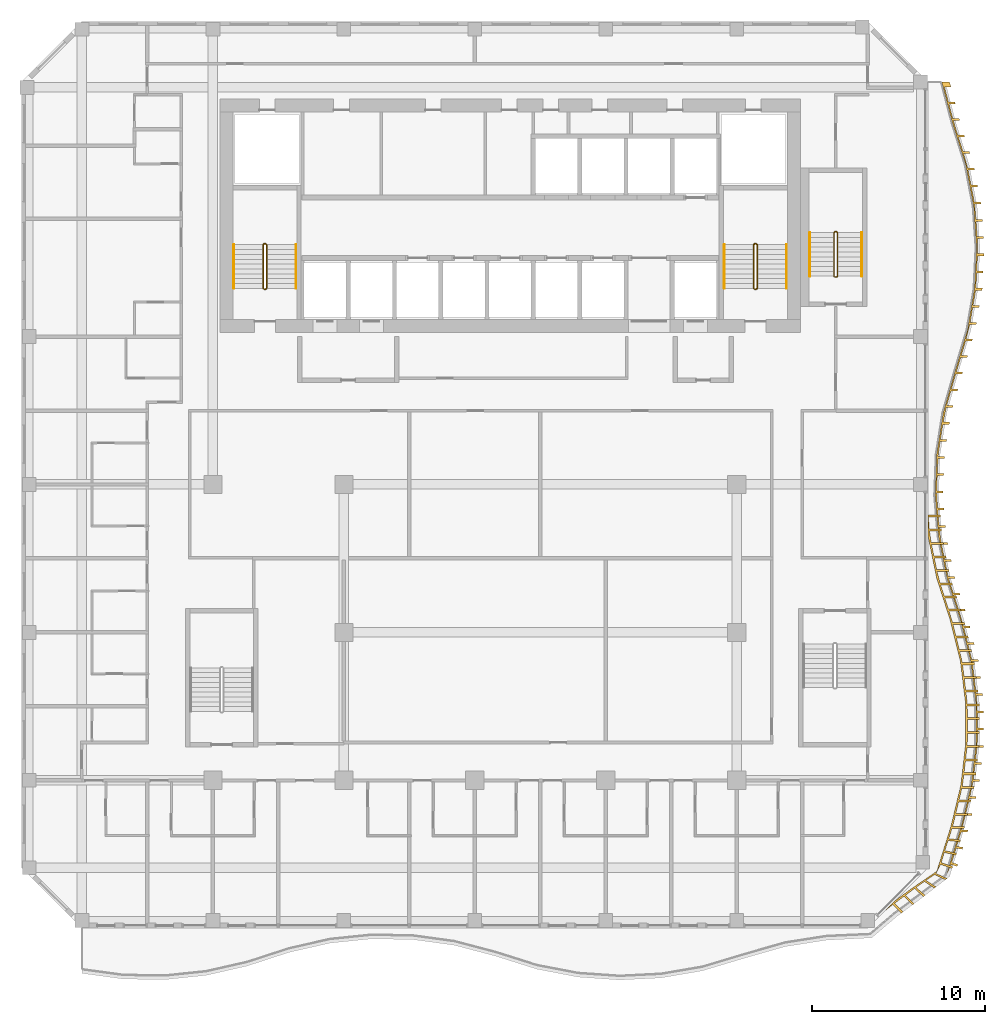
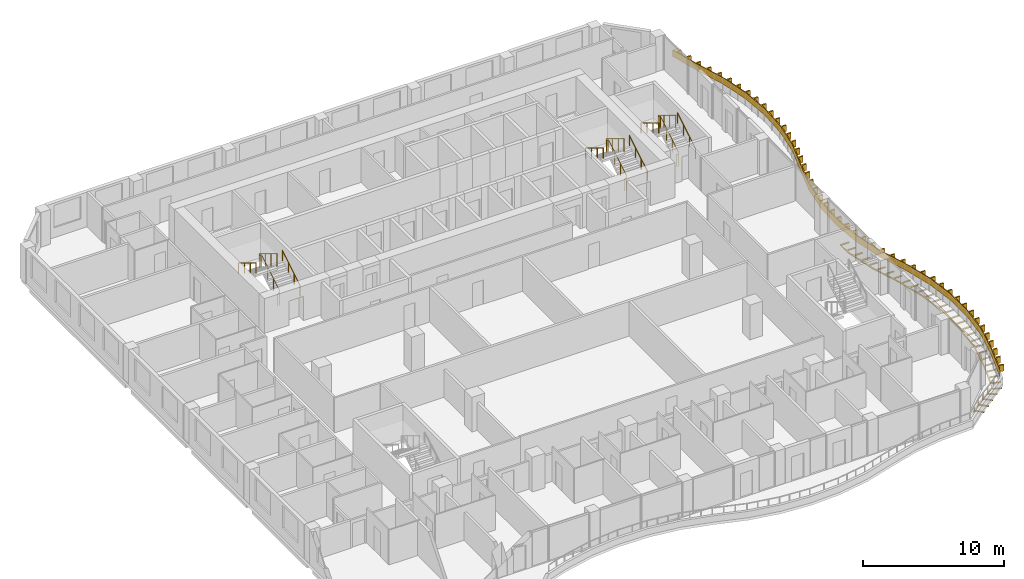
# One storey, part 24 of 24: 9 railings, 2 shading devices.
"""IFC4 building model written with IfcOpenShell, lengths in metres."""

from ifc_helpers import new_model, si_unit, direction, frame, origin, origin_2d, place, context, subcontext, project, spatial, polyline, circle, outline, extrude, source, transform, mapped, material, layer, layer_set, type_object, element, save


model = new_model("IFC4")

# Units and contexts
model_context = context("Model", 3, precision=1e-05, world=origin(), true_north=direction((0.0, 1.0)))
body_context = subcontext(model_context, "Body", "Model", "MODEL_VIEW")
ifc_project = project(units=[si_unit("LENGTHUNIT", "METRE"), si_unit("AREAUNIT", "SQUARE_METRE"), si_unit("VOLUMEUNIT", "CUBIC_METRE"), si_unit("PLANEANGLEUNIT", "RADIAN"), si_unit("MASSUNIT", "GRAM", prefix="KILO")], contexts=[model_context])

# Site, building, storey
site_placement = place(None, origin())
site = spatial("IfcSite", under=ifc_project, at=site_placement, CompositionType="ELEMENT")
building_placement = place(site_placement, origin())
building = spatial("IfcBuilding", under=site, at=building_placement, Name="Kilnfold Tower and Market Hall", CompositionType="ELEMENT")
storey_placement = place(building_placement, frame((0.0, 0.0, 192.300048828125)))
storey = spatial("IfcBuildingStorey", under=building, at=storey_placement, Name="L46", CompositionType="ELEMENT", Elevation=192.300048828125)

# Railings
ifc_material_1 = material(Name="Stainless steel 316", Category="steel")
railing_type_1 = type_object("IfcRailingType", Name="CORE STAIR GUARD 1100", PredefinedType="GUARDRAIL", material=ifc_material_1)
railing_1_placement = place(storey_placement, frame((-13.199951171875, 10.75, 0.0)))
element("IfcRailing", 1, at=railing_1_placement, inside=storey, type_object=railing_type_1, Name="L46 ST1 stair guard 1", PredefinedType="GUARDRAIL", context=body_context, shape_type="SweptSolid", body=[
    extrude(circle(Radius=0.02392578125, at=origin_2d()), frame((0.0, 0.0, 1.076171875), z_axis=(1.0, 0.0, 0.0), x_axis=(0.0, 1.0, 0.0)), (0.0, 0.0, 1.0), 0.099853515625),
    extrude(circle(Radius=0.02392578125, at=origin_2d()), frame((0.099853515625, 0.0, 1.076171875), z_axis=(0.271895245746, 0.271895245746, 0.923117517265), x_axis=(-0.707106781187, 0.707106781187, 0.0)), (0.0, 0.0, 1.0), 0.18408203125),
    extrude(circle(Radius=0.02392578125, at=origin_2d()), frame((0.14990234375, 0.050048828125, 1.24609375), z_axis=(0.0, 0.85478489116, 0.518982456201), x_axis=(-1.0, 0.0, 0.0)), (0.0, 0.0, 1.0), 2.9482421875),
    extrude(circle(Radius=0.02392578125, at=origin_2d()), frame((0.14990234375, 2.570068359375, 2.77587890625), z_axis=(-0.707106781187, 0.707106781187, 0.0), x_axis=(-0.707106781187, -0.707106781187, 0.0)), (0.0, 0.0, 1.0), 0.07080078125),
    extrude(circle(Radius=0.02392578125, at=origin_2d()), frame((0.099853515625, 2.6201171875, 2.77587890625), z_axis=(-1.0, 0.0, 0.0), x_axis=(0.0, -1.0, 0.0)), (0.0, 0.0, 1.0), 0.099853515625),
    extrude(circle(Radius=0.02392578125, at=origin_2d()), frame((0.0, 2.6201171875, 2.77587890625), z_axis=(-0.271895245746, -0.271895245746, 0.923117517265), x_axis=(0.707106781187, -0.707106781187, 0.0)), (0.0, 0.0, 1.0), 0.18408203125),
    extrude(circle(Radius=0.02392578125, at=origin_2d()), frame((-0.050048828125, 2.570068359375, 2.94580078125), z_axis=(0.0, -0.85478489116, 0.518982456201), x_axis=(1.0, 0.0, 0.0)), (0.0, 0.0, 1.0), 2.9482421875),
    extrude(circle(Radius=0.02099609375, at=origin_2d()), origin(), (0.0, 0.0, 1.0), 1.052001953125),
    extrude(circle(Radius=0.02099609375, at=origin_2d()), frame((0.099853515625, 0.0, 0.0)), (0.0, 0.0, 1.0), 1.052001953125),
    extrude(circle(Radius=0.02099609375, at=origin_2d()), frame((0.14990234375, 0.050048828125, 0.169921875)), (0.0, 0.0, 1.0), 1.052001953125),
    extrude(circle(Radius=0.02099609375, at=origin_2d()), frame((0.14990234375, 0.89013671875, 0.679931640625)), (0.0, 0.0, 1.0), 1.052001953125),
    extrude(circle(Radius=0.02099609375, at=origin_2d()), frame((0.14990234375, 1.72998046875, 1.18994140625)), (0.0, 0.0, 1.0), 1.052001953125),
    extrude(circle(Radius=0.02099609375, at=origin_2d()), frame((0.14990234375, 2.570068359375, 1.699951171875)), (0.0, 0.0, 1.0), 1.052001953125),
    extrude(circle(Radius=0.02099609375, at=origin_2d()), frame((0.099853515625, 2.6201171875, 1.699951171875)), (0.0, 0.0, 1.0), 1.052001953125),
    extrude(circle(Radius=0.02099609375, at=origin_2d()), frame((0.0, 2.6201171875, 1.699951171875)), (0.0, 0.0, 1.0), 1.052001953125),
    extrude(circle(Radius=0.02099609375, at=origin_2d()), frame((-0.050048828125, 2.570068359375, 1.869873046875)), (0.0, 0.0, 1.0), 1.052001953125),
    extrude(circle(Radius=0.02099609375, at=origin_2d()), frame((-0.050048828125, 1.72998046875, 2.3798828125)), (0.0, 0.0, 1.0), 1.052001953125),
    extrude(circle(Radius=0.02099609375, at=origin_2d()), frame((-0.050048828125, 0.89013671875, 2.889892578125)), (0.0, 0.0, 1.0), 1.052001953125),
    extrude(circle(Radius=0.02099609375, at=origin_2d()), frame((-0.050048828125, 0.050048828125, 3.39990234375)), (0.0, 0.0, 1.0), 1.052001953125),
])
railing_2_placement = place(storey_placement, frame((15.199951171875, 10.75, 0.0)))
element("IfcRailing", 2, at=railing_2_placement, inside=storey, type_object=railing_type_1, Name="L46 ST2 stair guard 1", PredefinedType="GUARDRAIL", context=body_context, shape_type="SweptSolid", body=[
    extrude(circle(Radius=0.02392578125, at=origin_2d()), frame((0.0, 0.0, 1.076171875), z_axis=(1.0, 0.0, 0.0), x_axis=(0.0, 1.0, 0.0)), (0.0, 0.0, 1.0), 0.10009765625),
    extrude(circle(Radius=0.02392578125, at=origin_2d()), frame((0.10009765625, 0.0, 1.076171875), z_axis=(0.271895245746, 0.271895245746, 0.923117517265), x_axis=(-0.707106781187, 0.707106781187, 0.0)), (0.0, 0.0, 1.0), 0.18408203125),
    extrude(circle(Radius=0.02392578125, at=origin_2d()), frame((0.150146484375, 0.050048828125, 1.24609375), z_axis=(0.0, 0.85478489116, 0.518982456201), x_axis=(-1.0, 0.0, 0.0)), (0.0, 0.0, 1.0), 2.9482421875),
    extrude(circle(Radius=0.02392578125, at=origin_2d()), frame((0.150146484375, 2.570068359375, 2.77587890625), z_axis=(-0.707106781187, 0.707106781187, 0.0), x_axis=(-0.707106781187, -0.707106781187, 0.0)), (0.0, 0.0, 1.0), 0.07080078125),
    extrude(circle(Radius=0.02392578125, at=origin_2d()), frame((0.10009765625, 2.6201171875, 2.77587890625), z_axis=(-1.0, 0.0, 0.0), x_axis=(0.0, -1.0, 0.0)), (0.0, 0.0, 1.0), 0.10009765625),
    extrude(circle(Radius=0.02392578125, at=origin_2d()), frame((0.0, 2.6201171875, 2.77587890625), z_axis=(-0.271895245746, -0.271895245746, 0.923117517265), x_axis=(0.707106781187, -0.707106781187, 0.0)), (0.0, 0.0, 1.0), 0.18408203125),
    extrude(circle(Radius=0.02392578125, at=origin_2d()), frame((-0.050048828125, 2.570068359375, 2.94580078125), z_axis=(0.0, -0.85478489116, 0.518982456201), x_axis=(1.0, 0.0, 0.0)), (0.0, 0.0, 1.0), 2.9482421875),
    extrude(circle(Radius=0.02099609375, at=origin_2d()), origin(), (0.0, 0.0, 1.0), 1.052001953125),
    extrude(circle(Radius=0.02099609375, at=origin_2d()), frame((0.10009765625, 0.0, 0.0)), (0.0, 0.0, 1.0), 1.052001953125),
    extrude(circle(Radius=0.02099609375, at=origin_2d()), frame((0.150146484375, 0.050048828125, 0.169921875)), (0.0, 0.0, 1.0), 1.052001953125),
    extrude(circle(Radius=0.02099609375, at=origin_2d()), frame((0.150146484375, 0.89013671875, 0.679931640625)), (0.0, 0.0, 1.0), 1.052001953125),
    extrude(circle(Radius=0.02099609375, at=origin_2d()), frame((0.150146484375, 1.72998046875, 1.18994140625)), (0.0, 0.0, 1.0), 1.052001953125),
    extrude(circle(Radius=0.02099609375, at=origin_2d()), frame((0.150146484375, 2.570068359375, 1.699951171875)), (0.0, 0.0, 1.0), 1.052001953125),
    extrude(circle(Radius=0.02099609375, at=origin_2d()), frame((0.10009765625, 2.6201171875, 1.699951171875)), (0.0, 0.0, 1.0), 1.052001953125),
    extrude(circle(Radius=0.02099609375, at=origin_2d()), frame((0.0, 2.6201171875, 1.699951171875)), (0.0, 0.0, 1.0), 1.052001953125),
    extrude(circle(Radius=0.02099609375, at=origin_2d()), frame((-0.050048828125, 2.570068359375, 1.869873046875)), (0.0, 0.0, 1.0), 1.052001953125),
    extrude(circle(Radius=0.02099609375, at=origin_2d()), frame((-0.050048828125, 1.72998046875, 2.3798828125)), (0.0, 0.0, 1.0), 1.052001953125),
    extrude(circle(Radius=0.02099609375, at=origin_2d()), frame((-0.050048828125, 0.89013671875, 2.889892578125)), (0.0, 0.0, 1.0), 1.052001953125),
    extrude(circle(Radius=0.02099609375, at=origin_2d()), frame((-0.050048828125, 0.050048828125, 3.39990234375)), (0.0, 0.0, 1.0), 1.052001953125),
])
railing_3_placement = place(storey_placement, frame((19.85009765625, 11.449951171875, 0.0)))
element("IfcRailing", 3, at=railing_3_placement, inside=storey, type_object=railing_type_1, Name="L46 ST5 stair guard 1", PredefinedType="GUARDRAIL", context=body_context, shape_type="SweptSolid", body=[
    extrude(circle(Radius=0.02392578125, at=origin_2d()), frame((0.0, 0.0, 1.076171875), z_axis=(1.0, 0.0, 0.0), x_axis=(0.0, 1.0, 0.0)), (0.0, 0.0, 1.0), 0.099853515625),
    extrude(circle(Radius=0.02392578125, at=origin_2d()), frame((0.099853515625, 0.0, 1.076171875), z_axis=(0.271895245746, 0.271895245746, 0.923117517265), x_axis=(-0.707106781187, 0.707106781187, 0.0)), (0.0, 0.0, 1.0), 0.18408203125),
    extrude(circle(Radius=0.02392578125, at=origin_2d()), frame((0.14990234375, 0.050048828125, 1.24609375), z_axis=(0.0, 0.85478489116, 0.518982456201), x_axis=(-1.0, 0.0, 0.0)), (0.0, 0.0, 1.0), 2.9482421875),
    extrude(circle(Radius=0.02392578125, at=origin_2d()), frame((0.14990234375, 2.570068359375, 2.77587890625), z_axis=(-0.707106781187, 0.707106781187, 0.0), x_axis=(-0.707106781187, -0.707106781187, 0.0)), (0.0, 0.0, 1.0), 0.07080078125),
    extrude(circle(Radius=0.02392578125, at=origin_2d()), frame((0.099853515625, 2.6201171875, 2.77587890625), z_axis=(-1.0, 0.0, 0.0), x_axis=(0.0, -1.0, 0.0)), (0.0, 0.0, 1.0), 0.099853515625),
    extrude(circle(Radius=0.02392578125, at=origin_2d()), frame((0.0, 2.6201171875, 2.77587890625), z_axis=(-0.271895245746, -0.271895245746, 0.923117517265), x_axis=(0.707106781187, -0.707106781187, 0.0)), (0.0, 0.0, 1.0), 0.18408203125),
    extrude(circle(Radius=0.02392578125, at=origin_2d()), frame((-0.050048828125, 2.570068359375, 2.94580078125), z_axis=(0.0, -0.85478489116, 0.518982456201), x_axis=(1.0, 0.0, 0.0)), (0.0, 0.0, 1.0), 2.9482421875),
    extrude(circle(Radius=0.02099609375, at=origin_2d()), origin(), (0.0, 0.0, 1.0), 1.052001953125),
    extrude(circle(Radius=0.02099609375, at=origin_2d()), frame((0.099853515625, 0.0, 0.0)), (0.0, 0.0, 1.0), 1.052001953125),
    extrude(circle(Radius=0.02099609375, at=origin_2d()), frame((0.14990234375, 0.050048828125, 0.169921875)), (0.0, 0.0, 1.0), 1.052001953125),
    extrude(circle(Radius=0.02099609375, at=origin_2d()), frame((0.14990234375, 0.89013671875, 0.679931640625)), (0.0, 0.0, 1.0), 1.052001953125),
    extrude(circle(Radius=0.02099609375, at=origin_2d()), frame((0.14990234375, 1.72998046875, 1.18994140625)), (0.0, 0.0, 1.0), 1.052001953125),
    extrude(circle(Radius=0.02099609375, at=origin_2d()), frame((0.14990234375, 2.570068359375, 1.699951171875)), (0.0, 0.0, 1.0), 1.052001953125),
    extrude(circle(Radius=0.02099609375, at=origin_2d()), frame((0.099853515625, 2.6201171875, 1.699951171875)), (0.0, 0.0, 1.0), 1.052001953125),
    extrude(circle(Radius=0.02099609375, at=origin_2d()), frame((0.0, 2.6201171875, 1.699951171875)), (0.0, 0.0, 1.0), 1.052001953125),
    extrude(circle(Radius=0.02099609375, at=origin_2d()), frame((-0.050048828125, 2.570068359375, 1.869873046875)), (0.0, 0.0, 1.0), 1.052001953125),
    extrude(circle(Radius=0.02099609375, at=origin_2d()), frame((-0.050048828125, 1.72998046875, 2.3798828125)), (0.0, 0.0, 1.0), 1.052001953125),
    extrude(circle(Radius=0.02099609375, at=origin_2d()), frame((-0.050048828125, 0.89013671875, 2.889892578125)), (0.0, 0.0, 1.0), 1.052001953125),
    extrude(circle(Radius=0.02099609375, at=origin_2d()), frame((-0.050048828125, 0.050048828125, 3.39990234375)), (0.0, 0.0, 1.0), 1.052001953125),
])
ifc_material_2 = material(Name="Stainless steel 316", Category="steel")
railing_type_2 = type_object("IfcRailingType", Name="CORE STAIR HANDRAIL 900", PredefinedType="HANDRAIL", material=ifc_material_2)
railing_4_placement = place(storey_placement, frame((-11.35009765625, 10.800048828125, 0.169921875)))
element("IfcRailing", 4, at=railing_4_placement, inside=storey, type_object=railing_type_2, Name="L46 ST1 stair handrail 1", PredefinedType="HANDRAIL", context=body_context, shape_type="SweptSolid", body=[
    extrude(circle(Radius=0.02392578125, at=origin_2d()), frame((0.0, 0.0, 0.8759765625), z_axis=(0.0, 0.85478489116, 0.518982456201), x_axis=(-1.0, 0.0, 0.0)), (0.0, 0.0, 1.0), 2.9482421875),
    extrude(circle(Radius=0.02099609375, at=origin_2d()), origin(), (0.0, 0.0, 1.0), 0.851806640625),
    extrude(circle(Radius=0.02099609375, at=origin_2d()), frame((0.0, 0.840087890625, 0.510009765625)), (0.0, 0.0, 1.0), 0.851806640625),
    extrude(circle(Radius=0.02099609375, at=origin_2d()), frame((0.0, 1.679931640625, 1.02001953125)), (0.0, 0.0, 1.0), 0.851806640625),
    extrude(circle(Radius=0.02099609375, at=origin_2d()), frame((0.0, 2.52001953125, 1.530029296875)), (0.0, 0.0, 1.0), 0.851806640625),
])
railing_5_placement = place(storey_placement, frame((-14.949951171875, 13.320068359375, 1.869873046875)))
element("IfcRailing", 5, at=railing_5_placement, inside=storey, type_object=railing_type_2, Name="L46 ST1 stair handrail 2", PredefinedType="HANDRAIL", context=body_context, shape_type="SweptSolid", body=[
    extrude(circle(Radius=0.02392578125, at=origin_2d()), frame((0.0, 0.0, 0.8759765625), z_axis=(0.0, -0.85478489116, 0.518982456201), x_axis=(1.0, 0.0, 0.0)), (0.0, 0.0, 1.0), 2.9482421875),
    extrude(circle(Radius=0.02099609375, at=origin_2d()), origin(), (0.0, 0.0, 1.0), 0.851806640625),
    extrude(circle(Radius=0.02099609375, at=origin_2d()), frame((0.0, -0.840087890625, 0.510009765625)), (0.0, 0.0, 1.0), 0.851806640625),
    extrude(circle(Radius=0.02099609375, at=origin_2d()), frame((0.0, -1.679931640625, 1.02001953125)), (0.0, 0.0, 1.0), 0.851806640625),
    extrude(circle(Radius=0.02099609375, at=origin_2d()), frame((0.0, -2.52001953125, 1.530029296875)), (0.0, 0.0, 1.0), 0.851806640625),
])
railing_6_placement = place(storey_placement, frame((17.050048828125, 10.800048828125, 0.169921875)))
element("IfcRailing", 6, at=railing_6_placement, inside=storey, type_object=railing_type_2, Name="L46 ST2 stair handrail 1", PredefinedType="HANDRAIL", context=body_context, shape_type="SweptSolid", body=[
    extrude(circle(Radius=0.02392578125, at=origin_2d()), frame((0.0, 0.0, 0.8759765625), z_axis=(0.0, 0.85478489116, 0.518982456201), x_axis=(-1.0, 0.0, 0.0)), (0.0, 0.0, 1.0), 2.9482421875),
    extrude(circle(Radius=0.02099609375, at=origin_2d()), origin(), (0.0, 0.0, 1.0), 0.851806640625),
    extrude(circle(Radius=0.02099609375, at=origin_2d()), frame((0.0, 0.840087890625, 0.510009765625)), (0.0, 0.0, 1.0), 0.851806640625),
    extrude(circle(Radius=0.02099609375, at=origin_2d()), frame((0.0, 1.679931640625, 1.02001953125)), (0.0, 0.0, 1.0), 0.851806640625),
    extrude(circle(Radius=0.02099609375, at=origin_2d()), frame((0.0, 2.52001953125, 1.530029296875)), (0.0, 0.0, 1.0), 0.851806640625),
])
railing_7_placement = place(storey_placement, frame((13.449951171875, 13.320068359375, 1.869873046875)))
element("IfcRailing", 7, at=railing_7_placement, inside=storey, type_object=railing_type_2, Name="L46 ST2 stair handrail 2", PredefinedType="HANDRAIL", context=body_context, shape_type="SweptSolid", body=[
    extrude(circle(Radius=0.02392578125, at=origin_2d()), frame((0.0, 0.0, 0.8759765625), z_axis=(0.0, -0.85478489116, 0.518982456201), x_axis=(1.0, 0.0, 0.0)), (0.0, 0.0, 1.0), 2.9482421875),
    extrude(circle(Radius=0.02099609375, at=origin_2d()), origin(), (0.0, 0.0, 1.0), 0.851806640625),
    extrude(circle(Radius=0.02099609375, at=origin_2d()), frame((0.0, -0.840087890625, 0.510009765625)), (0.0, 0.0, 1.0), 0.851806640625),
    extrude(circle(Radius=0.02099609375, at=origin_2d()), frame((0.0, -1.679931640625, 1.02001953125)), (0.0, 0.0, 1.0), 0.851806640625),
    extrude(circle(Radius=0.02099609375, at=origin_2d()), frame((0.0, -2.52001953125, 1.530029296875)), (0.0, 0.0, 1.0), 0.851806640625),
])
railing_8_placement = place(storey_placement, frame((21.39990234375, 11.5, 0.169921875)))
element("IfcRailing", 8, at=railing_8_placement, inside=storey, type_object=railing_type_2, Name="L46 ST5 stair handrail 1", PredefinedType="HANDRAIL", context=body_context, shape_type="SweptSolid", body=[
    extrude(circle(Radius=0.02392578125, at=origin_2d()), frame((0.0, 0.0, 0.8759765625), z_axis=(0.0, 0.85478489116, 0.518982456201), x_axis=(-1.0, 0.0, 0.0)), (0.0, 0.0, 1.0), 2.9482421875),
    extrude(circle(Radius=0.02099609375, at=origin_2d()), origin(), (0.0, 0.0, 1.0), 0.851806640625),
    extrude(circle(Radius=0.02099609375, at=origin_2d()), frame((0.0, 0.840087890625, 0.510009765625)), (0.0, 0.0, 1.0), 0.851806640625),
    extrude(circle(Radius=0.02099609375, at=origin_2d()), frame((0.0, 1.679931640625, 1.02001953125)), (0.0, 0.0, 1.0), 0.851806640625),
    extrude(circle(Radius=0.02099609375, at=origin_2d()), frame((0.0, 2.52001953125, 1.530029296875)), (0.0, 0.0, 1.0), 0.851806640625),
])
railing_9_placement = place(storey_placement, frame((18.39990234375, 14.02001953125, 1.869873046875)))
element("IfcRailing", 9, at=railing_9_placement, inside=storey, type_object=railing_type_2, Name="L46 ST5 stair handrail 2", PredefinedType="HANDRAIL", context=body_context, shape_type="SweptSolid", body=[
    extrude(circle(Radius=0.02392578125, at=origin_2d()), frame((0.0, 0.0, 0.8759765625), z_axis=(0.0, -0.85478489116, 0.518982456201), x_axis=(1.0, 0.0, 0.0)), (0.0, 0.0, 1.0), 2.9482421875),
    extrude(circle(Radius=0.02099609375, at=origin_2d()), origin(), (0.0, 0.0, 1.0), 0.851806640625),
    extrude(circle(Radius=0.02099609375, at=origin_2d()), frame((0.0, -0.840087890625, 0.510009765625)), (0.0, 0.0, 1.0), 0.851806640625),
    extrude(circle(Radius=0.02099609375, at=origin_2d()), frame((0.0, -1.679931640625, 1.02001953125)), (0.0, 0.0, 1.0), 0.851806640625),
    extrude(circle(Radius=0.02099609375, at=origin_2d()), frame((0.0, -2.52001953125, 1.530029296875)), (0.0, 0.0, 1.0), 0.851806640625),
])

# Shading devices
ifc_material_3 = material(Name="Bronze anodised aluminium", Category="aluminium")
ifc_layer_1 = layer(ifc_material_3, 0.550048828125)
ifc_layer_set_1 = layer_set([ifc_layer_1], Name="Bronze anodised aluminium")
shading_device_type_1 = type_object("IfcShadingDeviceType", Name="BRONZE SLAT FASCIA 550", PredefinedType="USERDEFINED", material=ifc_layer_set_1)
shared_shape_1 = source(origin(), body_context, "Body", "SweptSolid", [
    extrude(outline(polyline([(26.9248046875, -22.670166015625), (26.57470703125, -22.560302734375), (26.3203125, -23.129150390625), (27.167724609375, -20.355224609375), (27.7431640625, -17.96044921875), (28.019287109375, -15.56591796875), (28.009033203125, -13.171142578125), (27.711669921875, -10.7763671875), (27.114013671875, -8.381591796875), (26.34228515625, -5.98681640625), (25.8515625, -3.592041015625), (25.655029296875, -1.197509765625), (25.743896484375, 1.197509765625), (26.122314453125, 3.592041015625), (26.8076171875, 5.98681640625), (27.523681640625, 8.381591796875), (27.931396484375, 10.7763671875), (28.048828125, 13.171142578125), (27.880859375, 15.56591796875), (27.420166015625, 17.96044921875), (26.66259765625, 20.355224609375), (26.03369140625, 22.75), (26.48388671875, 22.75), (26.56494140625, 22.441162109375), (26.19482421875, 22.441162109375), (26.41845703125, 21.590087890625), (26.788330078125, 21.590087890625), (26.81884765625, 21.47412109375), (26.448974609375, 21.47412109375), (26.67236328125, 20.622802734375), (27.04248046875, 20.622802734375), (27.072998046875, 20.5068359375), (26.702880859375, 20.5068359375), (26.960693359375, 19.66552734375), (27.330810546875, 19.66552734375), (27.366943359375, 19.55126953125), (26.9970703125, 19.55126953125), (27.262451171875, 18.712158203125), (27.63232421875, 18.712158203125), (27.668701171875, 18.59765625), (27.298583984375, 18.59765625), (27.5400390625, 17.752685546875), (27.91015625, 17.752685546875), (27.932861328125, 17.634765625), (27.562744140625, 17.634765625), (27.72900390625, 16.7705078125), (28.09912109375, 16.7705078125), (28.12158203125, 16.65283203125), (27.751708984375, 16.65283203125), (27.91796875, 15.788818359375), (28.2880859375, 15.788818359375), (28.310791015625, 15.6708984375), (27.940673828125, 15.6708984375), (28.014892578125, 14.794677734375), (28.385009765625, 14.794677734375), (28.393310546875, 14.6748046875), (28.0234375, 14.6748046875), (28.0849609375, 13.797119140625), (28.455078125, 13.797119140625), (28.46337890625, 13.677490234375), (28.093505859375, 13.677490234375), (28.110595703125, 12.799072265625), (28.480712890625, 12.799072265625), (28.474853515625, 12.67919921875), (28.104736328125, 12.67919921875), (28.061767578125, 11.80029296875), (28.431640625, 11.80029296875), (28.42578125, 11.680419921875), (28.055908203125, 11.680419921875), (28.0126953125, 10.801513671875), (28.3828125, 10.801513671875), (28.381591796875, 10.7763671875), (28.365478515625, 10.682861328125), (27.99560546875, 10.682861328125), (27.847900390625, 9.815185546875), (28.218017578125, 9.815185546875), (28.19775390625, 9.697021484375), (27.82763671875, 9.697021484375), (27.679931640625, 8.82958984375), (28.050048828125, 8.82958984375), (28.02978515625, 8.711181640625), (27.659912109375, 8.711181640625), (27.447509765625, 7.85888671875), (27.8173828125, 7.85888671875), (27.782958984375, 7.743896484375), (27.4130859375, 7.743896484375), (27.160888671875, 6.90087890625), (27.53076171875, 6.90087890625), (27.49658203125, 6.785888671875), (27.12646484375, 6.785888671875), (26.874755859375, 5.942626953125), (27.244873046875, 5.942626953125), (27.2119140625, 5.8271484375), (26.841796875, 5.8271484375), (26.599853515625, 4.981201171875), (26.9697265625, 4.981201171875), (26.936767578125, 4.86572265625), (26.56689453125, 4.86572265625), (26.32470703125, 4.019775390625), (26.694580078125, 4.019775390625), (26.66162109375, 3.904296875), (26.291748046875, 3.904296875), (26.11572265625, 3.043701171875), (26.485595703125, 3.043701171875), (26.467041015625, 2.925048828125), (26.096923828125, 2.925048828125), (25.959716796875, 2.055908203125), (26.32958984375, 2.055908203125), (26.310791015625, 1.9375), (25.94091796875, 1.9375), (25.819091796875, 1.066650390625), (26.189208984375, 1.066650390625), (26.184814453125, 0.94677734375), (25.814697265625, 0.94677734375), (25.781982421875, 0.0673828125), (26.152099609375, 0.0673828125), (26.1474609375, -0.052490234375), (25.777587890625, -0.052490234375), (25.744873046875, -0.931884765625), (26.114990234375, -0.931884765625), (26.1103515625, -1.052001953125), (25.740478515625, -1.052001953125), (25.795166015625, -1.92919921875), (26.1650390625, -1.92919921875), (26.1748046875, -2.048828125), (25.804931640625, -2.048828125), (25.876708984375, -2.926025390625), (26.246826171875, -2.926025390625), (26.256591796875, -3.045654296875), (25.88671875, -3.045654296875), (25.998046875, -3.9169921875), (26.3681640625, -3.9169921875), (26.39208984375, -4.034423828125), (26.022216796875, -4.034423828125), (26.19873046875, -4.896484375), (26.56884765625, -4.896484375), (26.593017578125, -5.01416015625), (26.222900390625, -5.01416015625), (26.399658203125, -5.876220703125), (26.76953125, -5.876220703125), (26.79443359375, -5.99365234375), (26.42431640625, -5.99365234375), (26.6943359375, -6.831298828125), (27.064208984375, -6.831298828125), (27.10107421875, -6.9453125), (26.731201171875, -6.9453125), (27.001220703125, -7.782958984375), (27.37109375, -7.782958984375), (27.407958984375, -7.897216796875), (27.037841796875, -7.897216796875), (27.283935546875, -8.74169921875), (27.65380859375, -8.74169921875), (27.682861328125, -8.858154296875), (27.31298828125, -8.858154296875), (27.52587890625, -9.7119140625), (27.89599609375, -9.7119140625), (27.925048828125, -9.828369140625), (27.55517578125, -9.828369140625), (27.768310546875, -10.68212890625), (28.13818359375, -10.68212890625), (28.16162109375, -10.7763671875), (28.16455078125, -10.799072265625), (27.79443359375, -10.799072265625), (27.903076171875, -11.67236328125), (28.27294921875, -11.67236328125), (28.287841796875, -11.79150390625), (27.917724609375, -11.79150390625), (28.026123046875, -12.664794921875), (28.396240234375, -12.664794921875), (28.410888671875, -12.78369140625), (28.041015625, -12.78369140625), (28.09130859375, -13.660888671875), (28.461181640625, -13.660888671875), (28.461669921875, -13.78076171875), (28.091796875, -13.78076171875), (28.095458984375, -14.660888671875), (28.465576171875, -14.660888671875), (28.466064453125, -14.78076171875), (28.095947265625, -14.78076171875), (28.08837890625, -15.66015625), (28.45849609375, -15.66015625), (28.44482421875, -15.779296875), (28.07470703125, -15.779296875), (27.973876953125, -16.653564453125), (28.343994140625, -16.653564453125), (28.330078125, -16.772705078125), (27.960205078125, -16.772705078125), (27.859375, -17.64697265625), (28.229248046875, -17.64697265625), (28.215576171875, -17.76611328125), (27.845458984375, -17.76611328125), (27.6630859375, -18.6259765625), (28.033203125, -18.6259765625), (28.005126953125, -18.74267578125), (27.63525390625, -18.74267578125), (27.4296875, -19.598388671875), (27.799560546875, -19.598388671875), (27.771484375, -19.715087890625), (27.401611328125, -19.715087890625), (27.18359375, -20.56396484375), (27.55224609375, -20.57421875), (27.5166015625, -20.69287109375), (27.14892578125, -20.677001953125), (26.895263671875, -21.505615234375), (27.256103515625, -21.562744140625), (27.220703125, -21.681396484375), (26.86083984375, -21.61865234375), (26.60888671875, -22.447509765625), (26.960205078125, -22.551513671875), (26.9248046875, -22.670166015625)])), origin(), (0.0, 0.0, 1.0), 0.5498046875),
])
shading_device_1_placement = place(storey_placement, frame((0.0, 0.0, 0.550048828125)))
element("IfcShadingDevice", 10, at=shading_device_1_placement, inside=storey, type_object=shading_device_type_1, Name="Balcony slat fascia L46", ObjectType="SLAT", PredefinedType="USERDEFINED", context=body_context, shape_type="MappedRepresentation", body=[
    mapped(shared_shape_1, transform((0.0, 0.0, 0.0))),
])
ifc_material_4 = material(Name="Bronze anodised aluminium", Category="aluminium")
ifc_layer_2 = layer(ifc_material_4, 0.080078125)
ifc_layer_set_2 = layer_set([ifc_layer_2], Name="Bronze anodised aluminium")
shading_device_type_2 = type_object("IfcShadingDeviceType", Name="BRONZE SLAT SOFFIT 80", PredefinedType="USERDEFINED", material=ifc_layer_set_2)
shared_shape_2 = source(origin(), body_context, "Body", "SweptSolid", [
    extrude(outline(polyline([(24.192138671875, -24.025390625), (25.74853515625, -22.95654296875), (26.56787109375, -20.355224609375), (27.14306640625, -17.96044921875), (27.41943359375, -15.56591796875), (27.4091796875, -13.171142578125), (27.11181640625, -10.7763671875), (26.513916015625, -8.381591796875), (25.7421875, -5.98681640625), (25.25146484375, -3.592041015625), (25.25, -2.327880859375), (25.94775390625, -2.327880859375), (25.95751953125, -2.447509765625), (25.257568359375, -2.447509765625), (25.313232421875, -3.125244140625), (26.01318359375, -3.125244140625), (26.02294921875, -3.244873046875), (25.322998046875, -3.244873046875), (25.418212890625, -3.9169921875), (26.1181640625, -3.9169921875), (26.14208984375, -4.034423828125), (25.442138671875, -4.034423828125), (25.57861328125, -4.70068359375), (26.27880859375, -4.70068359375), (26.302734375, -4.818359375), (25.602783203125, -4.818359375), (25.7392578125, -5.484375), (26.439208984375, -5.484375), (26.46337890625, -5.60205078125), (25.76318359375, -5.60205078125), (25.930419921875, -6.260009765625), (26.63037109375, -6.260009765625), (26.6669921875, -6.374267578125), (25.967041015625, -6.374267578125), (26.17578125, -7.021484375), (26.875732421875, -7.021484375), (26.91259765625, -7.1357421875), (26.21240234375, -7.1357421875), (26.421142578125, -7.782958984375), (27.12109375, -7.782958984375), (27.157958984375, -7.897216796875), (26.4580078125, -7.897216796875), (26.655517578125, -8.547607421875), (27.35546875, -8.547607421875), (27.384521484375, -8.6640625), (26.6845703125, -8.6640625), (26.84912109375, -9.32373046875), (27.54931640625, -9.32373046875), (27.578125, -9.440185546875), (26.878173828125, -9.440185546875), (27.04296875, -10.10009765625), (27.742919921875, -10.10009765625), (27.77197265625, -10.21630859375), (27.072021484375, -10.21630859375), (27.224365234375, -10.87841796875), (27.92431640625, -10.87841796875), (27.939208984375, -10.99755859375), (27.2392578125, -10.99755859375), (27.322998046875, -11.67236328125), (28.02294921875, -11.67236328125), (28.037841796875, -11.79150390625), (27.337890625, -11.79150390625), (27.421630859375, -12.46630859375), (28.12158203125, -12.46630859375), (28.136474609375, -12.585205078125), (27.436279296875, -12.585205078125), (27.509521484375, -13.2607421875), (28.20947265625, -13.2607421875), (28.2099609375, -13.380859375), (27.510009765625, -13.380859375), (27.512939453125, -14.060791015625), (28.212890625, -14.060791015625), (28.21337890625, -14.180908203125), (27.513427734375, -14.180908203125), (27.516357421875, -14.86083984375), (28.21630859375, -14.86083984375), (28.216796875, -14.980712890625), (27.516845703125, -14.980712890625), (27.508544921875, -15.66015625), (28.20849609375, -15.66015625), (28.19482421875, -15.779296875), (27.494873046875, -15.779296875), (27.416748046875, -16.454833984375), (28.11669921875, -16.454833984375), (28.10302734375, -16.57421875), (27.403076171875, -16.57421875), (27.3251953125, -17.24951171875), (28.025146484375, -17.24951171875), (28.011474609375, -17.368896484375), (27.311279296875, -17.368896484375), (27.223388671875, -18.04248046875), (27.92333984375, -18.04248046875), (27.8955078125, -18.1591796875), (27.1953125, -18.1591796875), (27.03662109375, -18.8203125), (27.736572265625, -18.8203125), (27.70849609375, -18.93701171875), (27.008544921875, -18.93701171875), (26.849609375, -19.598388671875), (27.549560546875, -19.598388671875), (27.521484375, -19.715087890625), (26.821533203125, -19.715087890625), (26.66162109375, -20.3740234375), (27.361572265625, -20.3759765625), (27.326904296875, -20.49072265625), (26.626953125, -20.478271484375), (26.43359375, -21.068115234375), (27.1298828125, -21.1416015625), (27.094970703125, -21.25634765625), (26.400146484375, -21.172119140625), (26.21337890625, -21.761474609375), (26.89794921875, -21.9072265625), (26.86328125, -22.022216796875), (26.180908203125, -21.865478515625), (26.00048828125, -22.456787109375), (26.666015625, -22.6728515625), (26.63134765625, -22.78759765625), (25.968994140625, -22.561279296875), (25.7041015625, -23.0859375), (26.341796875, -23.37451171875), (26.24658203125, -23.44775390625), (25.615234375, -23.1455078125), (25.117919921875, -23.484375), (25.707275390625, -23.86181640625), (25.6123046875, -23.93505859375), (25.031005859375, -23.544677734375), (24.544189453125, -23.890380859375), (25.072998046875, -24.34912109375), (24.977783203125, -24.42236328125), (24.458984375, -23.9521484375), (23.939697265625, -24.33642578125), (24.4345703125, -24.831298828125), (24.33837890625, -24.903076171875), (23.84326171875, -24.407958984375), (23.297607421875, -24.813720703125), (23.79248046875, -25.30859375), (23.6962890625, -25.38037109375), (23.201171875, -24.88525390625), (22.798828125, -25.201171875), (23.344482421875, -24.655517578125), (24.192138671875, -24.025390625)])), origin(), (0.0, 0.0, 1.0), 0.080078125),
])
shading_device_2_placement = place(storey_placement, frame((0.0, 0.0, -0.300048828125)))
element("IfcShadingDevice", 11, at=shading_device_2_placement, inside=storey, type_object=shading_device_type_2, Name="Balcony soffit slats L46", ObjectType="SLAT", PredefinedType="USERDEFINED", context=body_context, shape_type="MappedRepresentation", body=[
    mapped(shared_shape_2, transform((0.0, 0.0, 0.0))),
])

save(model, "model.ifc")
